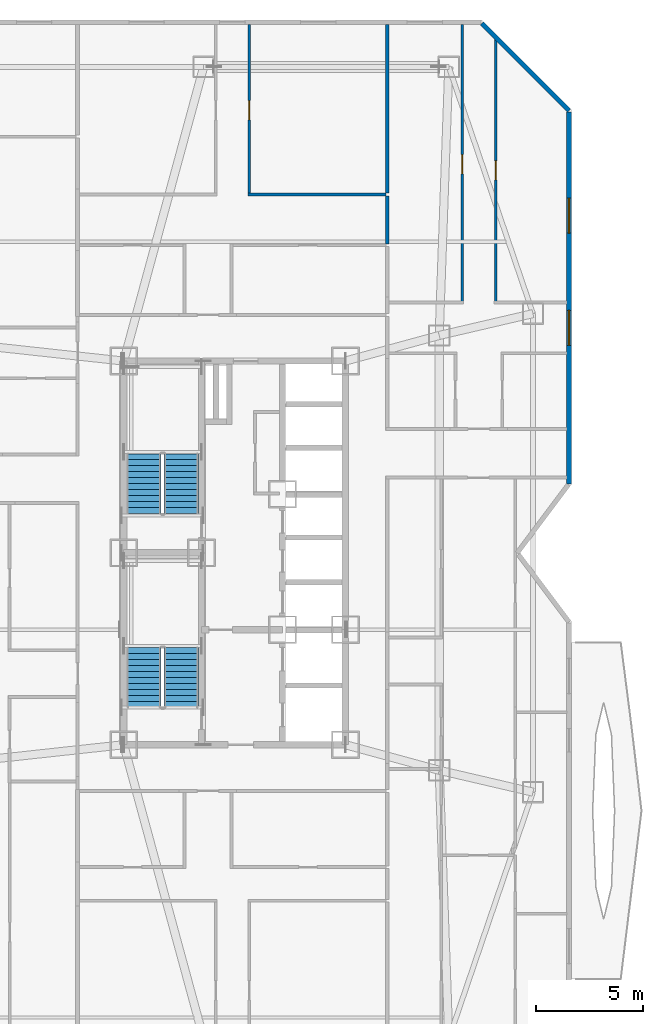
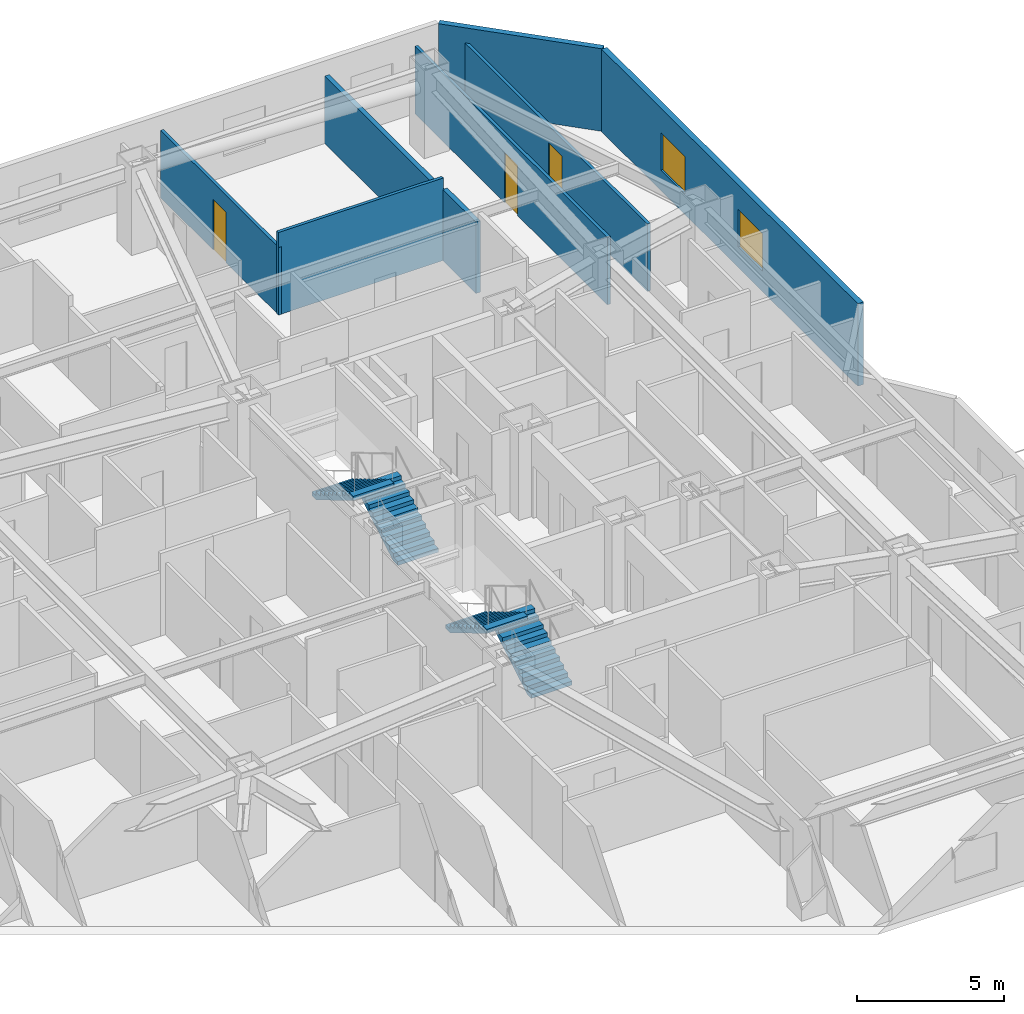
# One storey, part 14 of 16: 8 walls, 4 stair flights, 3 doors, 2 windows, 5 openings, 2 elements without a shape of their own.
"""IFC4 building model written with IfcOpenShell, lengths in metres."""

from ifc_helpers import new_model, si_unit, direction, frame, frame_2d, origin, place, context, subcontext, project, spatial, polyline, rectangle, outline, extrude, material, layer, layer_set, type_object, element, fill, aggregate, save


model = new_model("IFC4")

# Units and contexts
model_context = context("Model", 3, precision=1e-05, world=origin(), true_north=direction((0.0, 1.0)))
body_context = subcontext(model_context, "Body", "Model", "MODEL_VIEW")
ifc_project = project(units=[si_unit("LENGTHUNIT", "METRE"), si_unit("AREAUNIT", "SQUARE_METRE"), si_unit("VOLUMEUNIT", "CUBIC_METRE"), si_unit("PLANEANGLEUNIT", "RADIAN"), si_unit("MASSUNIT", "GRAM", prefix="KILO")], contexts=[model_context])

# Site, building, storey
site_placement = place(None, origin())
site = spatial("IfcSite", under=ifc_project, at=site_placement, CompositionType="ELEMENT")
building_placement = place(site_placement, origin())
building = spatial("IfcBuilding", under=site, at=building_placement, Name="Khamvora Tower", CompositionType="ELEMENT")
storey_placement = place(building_placement, frame((0.0, 0.0, 77.10009765625)))
storey = spatial("IfcBuildingStorey", under=building, at=storey_placement, Name="L19", CompositionType="ELEMENT", Elevation=77.10009765625)

# Walls
ifc_material_1 = material(Name="Acoustic Double-Stud Fire Wall", Category="gypsum")
ifc_layer_1 = layer(ifc_material_1, 0.179931640625)
ifc_layer_set_1 = layer_set([ifc_layer_1], Name="Acoustic Double-Stud Fire Wall")
wall_type_1 = type_object("IfcWallType", Name="WAL-CORR-180", PredefinedType="STANDARD", material=ifc_layer_set_1)
wall_1_placement = place(storey_placement, frame((41.364990234375, 44.7490234375, 0.0), z_axis=(0.0, 0.0, 1.0), x_axis=(0.0, -1.0, 0.0)))
element("IfcWall", 1, at=wall_1_placement, inside=storey, type_object=wall_type_1, Name="L19 interior partition wall 132", PredefinedType="STANDARD", context=body_context, shape_type="SweptSolid", body=[
    extrude(rectangle(XDim=2.25, YDim=0.179931640625, at=frame_2d((1.125, 0.0))), origin(), (0.0, 0.0, 1.0), 2.9609375),
])
wall_2_placement = place(storey_placement, frame((41.364990234375, 52.7880859375, 0.0), z_axis=(0.0, 0.0, 1.0), x_axis=(0.0, -1.0, 0.0)))
element("IfcWall", 2, at=wall_2_placement, inside=storey, type_object=wall_type_1, Name="L19 interior partition wall 135", PredefinedType="STANDARD", context=body_context, shape_type="SweptSolid", body=[
    extrude(rectangle(XDim=7.9091796875, YDim=0.179931640625, at=frame_2d((3.95458984375, 0.0))), origin(), (0.0, 0.0, 1.0), 2.802978515625),
])
ifc_material_2 = material(Name="Precast concrete C40/50", Category="concrete")
ifc_layer_2 = layer(ifc_material_2, 0.219970703125)
ifc_layer_set_2 = layer_set([ifc_layer_2], Name="Precast concrete C40/50")
wall_type_2 = type_object("IfcWallType", Name="WAL-EXT-220", PredefinedType="STANDARD", material=ifc_layer_set_2)
wall_3_placement = place(storey_placement, frame((45.802001953125, 52.842041015625, 0.0), z_axis=(0.0, 0.0, 1.0), x_axis=(0.707085666273, -0.70712789547, 0.0)))
element("IfcWall", 3, at=wall_3_placement, inside=storey, type_object=wall_type_2, Name="L19 exterior facade wall 08.1", PredefinedType="STANDARD", context=body_context, shape_type="SweptSolid", body=[
    extrude(rectangle(XDim=5.78125, YDim=0.219970703125, at=frame_2d((2.890625, 0.0))), origin(), (0.0, 0.0, 1.0), 3.429931640625),
])

# Wall, openings, windows
wall_4_placement = place(storey_placement, frame((49.889892578125, 48.68310546875, 0.0), z_axis=(0.0, 0.0, 1.0), x_axis=(0.0, -1.0, 0.0)))
wall_4 = element("IfcWall", 4, at=wall_4_placement, inside=storey, type_object=wall_type_2, Name="L19 exterior facade wall 09.1", PredefinedType="STANDARD", context=body_context, shape_type="SweptSolid", body=[
    extrude(rectangle(XDim=17.446044921875, YDim=0.219970703125, at=frame_2d((8.72314453125, 0.0))), origin(), (0.0, 0.0, 1.0), 3.429931640625),
])
opening_1_placement = place(wall_4_placement, frame((9.301025390625, 0.0, 0.85009765625)))
opening_1 = element("IfcOpeningElement", 5, at=opening_1_placement, cuts=wall_4, Name="Opening WN-06", PredefinedType="OPENING", context=body_context, shape_type="SweptSolid", body=[
    extrude(rectangle(XDim=1.64990234375, YDim=1.550048828125, at=frame_2d((0.824951171875, 0.77490234375))), frame((0.0, 0.119873046875, 0.0), z_axis=(0.0, -1.0, 0.0), x_axis=(1.0, 0.0, 0.0)), (0.0, 0.0, 1.0), 0.239990234375),
])
opening_2_placement = place(wall_4_placement, frame((4.035888671875, 0.0, 0.85009765625)))
opening_2 = element("IfcOpeningElement", 6, at=opening_2_placement, cuts=wall_4, Name="Opening WN-06", PredefinedType="OPENING", context=body_context, shape_type="SweptSolid", body=[
    extrude(rectangle(XDim=1.64990234375, YDim=1.550048828125, at=frame_2d((0.824951171875, 0.77490234375))), frame((0.0, 0.119873046875, 0.0), z_axis=(0.0, -1.0, 0.0), x_axis=(1.0, 0.0, 0.0)), (0.0, 0.0, 1.0), 0.239990234375),
])
ifc_material_3 = material(Name="Low-E Laminated Double Glazing", Category="glass")
window_type = type_object("IfcWindowType", Name="WIN-VIS-1650x1550", PartitioningType="SINGLE_PANEL", PredefinedType="WINDOW", material=ifc_material_3)
window_1_placement = place(opening_1_placement, origin())
window_1 = element("IfcWindow", 7, at=window_1_placement, inside=storey, type_object=window_type, Name="L19 vision window 09.1.01", OverallHeight=1.550048828125, OverallWidth=1.64990234375, PartitioningType="SINGLE_PANEL", PredefinedType="WINDOW", context=body_context, shape_type="SweptSolid", body=[
    extrude(rectangle(XDim=1.64990234375, YDim=1.550048828125, at=frame_2d((0.824951171875, 0.77490234375))), frame((0.0, 0.030029296875, 0.0), z_axis=(0.0, -1.0, 0.0), x_axis=(1.0, 0.0, 0.0)), (0.0, 0.0, 1.0), 0.06005859375),
])
fill(opening_1, window_1)
window_2_placement = place(opening_2_placement, origin())
window_2 = element("IfcWindow", 8, at=window_2_placement, inside=storey, type_object=window_type, Name="L19 vision window 09.1.02", OverallHeight=1.550048828125, OverallWidth=1.64990234375, PartitioningType="SINGLE_PANEL", PredefinedType="WINDOW", context=body_context, shape_type="SweptSolid", body=[
    extrude(rectangle(XDim=1.64990234375, YDim=1.550048828125, at=frame_2d((0.824951171875, 0.77490234375))), frame((0.0, 0.030029296875, 0.0), z_axis=(0.0, -1.0, 0.0), x_axis=(1.0, 0.0, 0.0)), (0.0, 0.0, 1.0), 0.06005859375),
])
fill(opening_2, window_2)

# Wall, opening, door
ifc_material_4 = material(Name="Gypsum Plasterboard Partition", Category="gypsum")
ifc_layer_3 = layer(ifc_material_4, 0.1201171875)
ifc_layer_set_3 = layer_set([ifc_layer_3], Name="Gypsum Plasterboard Partition")
wall_type_3 = type_object("IfcWallType", Name="WAL-PART-120", PredefinedType="PARTITIONING", material=ifc_layer_set_3)
wall_5_placement = place(storey_placement, frame((34.885009765625, 52.7880859375, 0.0), z_axis=(0.0, 0.0, 1.0), x_axis=(0.0, -1.0, 0.0)))
wall_5 = element("IfcWall", 9, at=wall_5_placement, inside=storey, type_object=wall_type_3, Name="L19 interior partition wall 130", PredefinedType="PARTITIONING", context=body_context, shape_type="SweptSolid", body=[
    extrude(rectangle(XDim=8.0390625, YDim=0.1201171875, at=frame_2d((4.01953125, 0.0))), origin(), (0.0, 0.0, 1.0), 2.802978515625),
])
opening_3_placement = place(wall_5_placement, frame((3.569091796875, 0.0, 0.0)))
opening_3 = element("IfcOpeningElement", 10, at=opening_3_placement, cuts=wall_5, Name="Opening D-RM1", PredefinedType="OPENING", context=body_context, shape_type="SweptSolid", body=[
    extrude(rectangle(XDim=0.89990234375, YDim=2.10009765625, at=frame_2d((0.449951171875, 1.050048828125))), frame((0.0, 0.070068359375, 0.0), z_axis=(0.0, -1.0, 0.0), x_axis=(1.0, 0.0, 0.0)), (0.0, 0.0, 1.0), 0.14013671875),
])
ifc_material_5 = material(Name="Powder-Coated Steel and Hardwood Leaf", Category="steel")
door_type = type_object("IfcDoorType", Name="DOR-ROOM-900", OperationType="NOTDEFINED", PredefinedType="DOOR", material=ifc_material_5)
door_1_placement = place(opening_3_placement, origin())
door_1 = element("IfcDoor", 11, at=door_1_placement, inside=storey, type_object=door_type, Name="L19 interior door 19NAH-19NAR2", OperationType="SINGLE_SWING_RIGHT", OverallHeight=2.10009765625, OverallWidth=0.89990234375, PredefinedType="DOOR", context=body_context, shape_type="SweptSolid", body=[
    extrude(rectangle(XDim=0.89990234375, YDim=2.10009765625, at=frame_2d((0.449951171875, 1.050048828125))), frame((0.0, 0.02490234375, 0.0), z_axis=(0.0, -1.0, 0.0), x_axis=(1.0, 0.0, 0.0)), (0.0, 0.0, 1.0), 0.050048828125),
])
fill(opening_3, door_1)

# Wall
wall_6_placement = place(storey_placement, frame((34.820068359375, 44.81396484375, 0.0), z_axis=(0.0, 0.0, 1.0), x_axis=(1.0, 0.0, 0.0)))
element("IfcWall", 12, at=wall_6_placement, inside=storey, type_object=wall_type_3, Name="L19 interior partition wall 131", PredefinedType="PARTITIONING", context=body_context, shape_type="SweptSolid", body=[
    extrude(rectangle(XDim=6.47998046875, YDim=0.1201171875, at=frame_2d((3.239990234375, 0.0))), origin(), (0.0, 0.0, 1.0), 3.429931640625),
])

# Wall, opening, door
wall_7_placement = place(storey_placement, frame((44.875, 39.681884765625, 0.0), z_axis=(0.0, 0.0, 1.0), x_axis=(0.0, 1.0, 0.0)))
wall_7 = element("IfcWall", 13, at=wall_7_placement, inside=storey, type_object=wall_type_3, Name="L19 interior partition wall 156", PredefinedType="PARTITIONING", context=body_context, shape_type="SweptSolid", body=[
    extrude(rectangle(XDim=13.106201171875, YDim=0.1201171875, at=frame_2d((6.55322265625, 0.0))), origin(), (0.0, 0.0, 1.0), 2.802978515625),
])
opening_4_placement = place(wall_7_placement, frame((6.10302734375, 0.0, 0.0)))
opening_4 = element("IfcOpeningElement", 14, at=opening_4_placement, cuts=wall_7, Name="Opening D-RM1", PredefinedType="OPENING", context=body_context, shape_type="SweptSolid", body=[
    extrude(rectangle(XDim=0.89990234375, YDim=2.10009765625, at=frame_2d((0.449951171875, 1.050048828125))), frame((0.0, 0.070068359375, 0.0), z_axis=(0.0, -1.0, 0.0), x_axis=(1.0, 0.0, 0.0)), (0.0, 0.0, 1.0), 0.14013671875),
])
door_2_placement = place(opening_4_placement, origin())
door_2 = element("IfcDoor", 15, at=door_2_placement, inside=storey, type_object=door_type, Name="L19 interior door 19EBH-19EBR1", OperationType="SINGLE_SWING_LEFT", OverallHeight=2.10009765625, OverallWidth=0.89990234375, PredefinedType="DOOR", context=body_context, shape_type="SweptSolid", body=[
    extrude(rectangle(XDim=0.89990234375, YDim=2.10009765625, at=frame_2d((0.449951171875, 1.050048828125))), frame((0.0, 0.02490234375, 0.0), z_axis=(0.0, -1.0, 0.0), x_axis=(1.0, 0.0, 0.0)), (0.0, 0.0, 1.0), 0.050048828125),
])
fill(opening_4, door_2)

wall_8_placement = place(storey_placement, frame((46.445068359375, 52.2080078125, 0.0), z_axis=(0.0, 0.0, 1.0), x_axis=(0.0, -1.0, 0.0)))
wall_8 = element("IfcWall", 16, at=wall_8_placement, inside=storey, type_object=wall_type_3, Name="L19 interior partition wall 158", PredefinedType="PARTITIONING", context=body_context, shape_type="SweptSolid", body=[
    extrude(rectangle(XDim=12.526123046875, YDim=0.1201171875, at=frame_2d((6.26318359375, 0.0))), origin(), (0.0, 0.0, 1.0), 2.802978515625),
])
opening_5_placement = place(wall_8_placement, frame((5.81298828125, 0.0, 0.0)))
opening_5 = element("IfcOpeningElement", 17, at=opening_5_placement, cuts=wall_8, Name="Opening D-RM1", PredefinedType="OPENING", context=body_context, shape_type="SweptSolid", body=[
    extrude(rectangle(XDim=0.89990234375, YDim=2.10009765625, at=frame_2d((0.449951171875, 1.050048828125))), frame((0.0, 0.070068359375, 0.0), z_axis=(0.0, -1.0, 0.0), x_axis=(1.0, 0.0, 0.0)), (0.0, 0.0, 1.0), 0.14013671875),
])
door_3_placement = place(opening_5_placement, origin())
door_3 = element("IfcDoor", 18, at=door_3_placement, inside=storey, type_object=door_type, Name="L19 interior door 19EBH-19EBR2", OperationType="SINGLE_SWING_RIGHT", OverallHeight=2.10009765625, OverallWidth=0.89990234375, PredefinedType="DOOR", context=body_context, shape_type="SweptSolid", body=[
    extrude(rectangle(XDim=0.89990234375, YDim=2.10009765625, at=frame_2d((0.449951171875, 1.050048828125))), frame((0.0, 0.02490234375, 0.0), z_axis=(0.0, -1.0, 0.0), x_axis=(1.0, 0.0, 0.0)), (0.0, 0.0, 1.0), 0.050048828125),
])
fill(opening_5, door_3)

# Stair, stair flights
ifc_material_6 = material(Name="Concrete C40/50", Category="concrete")
stair_type_1 = type_object("IfcStairType", Name="STR-ST-01", PredefinedType="HALF_TURN_STAIR", material=ifc_material_6)
stair_1_placement = place(storey_placement, origin())
stair_1 = element("IfcStair", 19, at=stair_1_placement, inside=storey, type_object=stair_type_1, Name="L19 South Tower Exit Stair ST-01", PredefinedType="HALF_TURN_STAIR")
stair_flight_type_1 = type_object("IfcStairFlightType", Name="STF-ST-01", PredefinedType="STRAIGHT", material=ifc_material_6)
stair_flight_1_placement = place(storey_placement, frame((31.699951171875, 20.75, 0.0), z_axis=(0.0, 0.0, 1.0), x_axis=(0.0, 1.0, 0.0)))
stair_flight_1 = element("IfcStairFlight", 20, at=stair_flight_1_placement, type_object=stair_flight_type_1, Name="ST-01 flight 1", NumberOfRisers=11, NumberOfTreads=10, PredefinedType="STRAIGHT", RiserHeight=0.165909091, TreadLength=0.28, context=body_context, shape_type="SweptSolid", body=[
    extrude(outline(polyline([(0.0, 0.0), (0.0, 0.166015625), (0.280029296875, 0.166015625), (0.280029296875, 0.331787109375), (0.56005859375, 0.331787109375), (0.56005859375, 0.497802734375), (0.840087890625, 0.497802734375), (0.840087890625, 0.66357421875), (1.1201171875, 0.66357421875), (1.1201171875, 0.82958984375), (1.39990234375, 0.82958984375), (1.39990234375, 0.995361328125), (1.679931640625, 0.995361328125), (1.679931640625, 1.161376953125), (1.9599609375, 1.161376953125), (1.9599609375, 1.327392578125), (2.239990234375, 1.327392578125), (2.239990234375, 1.4931640625), (2.52001953125, 1.4931640625), (2.52001953125, 1.6591796875), (2.800048828125, 1.6591796875), (2.800048828125, 1.824951171875), (2.800048828125, 1.48486328125), (0.2939453125, 0.0), (0.0, 0.0)])), frame((0.0, 0.800048828125, 0.0), z_axis=(0.0, -1.0, 0.0), x_axis=(1.0, 0.0, 0.0)), (0.0, 0.0, 1.0), 1.60009765625),
])
stair_flight_2_placement = place(storey_placement, frame((29.949951171875, 23.550048828125, 1.824951171875), z_axis=(0.0, 0.0, 1.0), x_axis=(0.0, -1.0, 0.0)))
stair_flight_2 = element("IfcStairFlight", 21, at=stair_flight_2_placement, type_object=stair_flight_type_1, Name="ST-01 flight 2", NumberOfRisers=11, NumberOfTreads=10, PredefinedType="STRAIGHT", RiserHeight=0.165909091, TreadLength=0.28, context=body_context, shape_type="SweptSolid", body=[
    extrude(outline(polyline([(0.0, 0.0), (0.0, 0.166015625), (0.280029296875, 0.166015625), (0.280029296875, 0.331787109375), (0.56005859375, 0.331787109375), (0.56005859375, 0.497802734375), (0.840087890625, 0.497802734375), (0.840087890625, 0.66357421875), (1.1201171875, 0.66357421875), (1.1201171875, 0.82958984375), (1.39990234375, 0.82958984375), (1.39990234375, 0.995361328125), (1.679931640625, 0.995361328125), (1.679931640625, 1.161376953125), (1.9599609375, 1.161376953125), (1.9599609375, 1.327392578125), (2.239990234375, 1.327392578125), (2.239990234375, 1.4931640625), (2.52001953125, 1.4931640625), (2.52001953125, 1.6591796875), (2.800048828125, 1.6591796875), (2.800048828125, 1.824951171875), (2.800048828125, 1.48486328125), (0.2939453125, 0.0), (0.0, 0.0)])), frame((0.0, 0.800048828125, 0.0), z_axis=(0.0, -1.0, 0.0), x_axis=(1.0, 0.0, 0.0)), (0.0, 0.0, 1.0), 1.60009765625),
])
aggregate(stair_1, [stair_flight_1, stair_flight_2])

stair_type_2 = type_object("IfcStairType", Name="STR-ST-02", PredefinedType="HALF_TURN_STAIR", material=ifc_material_6)
stair_2_placement = place(storey_placement, origin())
stair_2 = element("IfcStair", 22, at=stair_2_placement, inside=storey, type_object=stair_type_2, Name="L19 North Tower Exit Stair ST-02", PredefinedType="HALF_TURN_STAIR")
stair_flight_type_2 = type_object("IfcStairFlightType", Name="STF-ST-02", PredefinedType="STRAIGHT", material=ifc_material_6)
stair_flight_3_placement = place(storey_placement, frame((31.699951171875, 29.85009765625, 0.0), z_axis=(0.0, 0.0, 1.0), x_axis=(0.0, 1.0, 0.0)))
stair_flight_3 = element("IfcStairFlight", 23, at=stair_flight_3_placement, type_object=stair_flight_type_2, Name="ST-02 flight 1", NumberOfRisers=11, NumberOfTreads=10, PredefinedType="STRAIGHT", RiserHeight=0.165909091, TreadLength=0.28, context=body_context, shape_type="SweptSolid", body=[
    extrude(outline(polyline([(0.0, 0.0), (0.0, 0.166015625), (0.280029296875, 0.166015625), (0.280029296875, 0.331787109375), (0.56005859375, 0.331787109375), (0.56005859375, 0.497802734375), (0.840087890625, 0.497802734375), (0.840087890625, 0.66357421875), (1.1201171875, 0.66357421875), (1.1201171875, 0.82958984375), (1.39990234375, 0.82958984375), (1.39990234375, 0.995361328125), (1.679931640625, 0.995361328125), (1.679931640625, 1.161376953125), (1.9599609375, 1.161376953125), (1.9599609375, 1.327392578125), (2.239990234375, 1.327392578125), (2.239990234375, 1.4931640625), (2.52001953125, 1.4931640625), (2.52001953125, 1.6591796875), (2.800048828125, 1.6591796875), (2.800048828125, 1.824951171875), (2.800048828125, 1.48486328125), (0.2939453125, 0.0), (0.0, 0.0)])), frame((0.0, 0.800048828125, 0.0), z_axis=(0.0, -1.0, 0.0), x_axis=(1.0, 0.0, 0.0)), (0.0, 0.0, 1.0), 1.60009765625),
])
stair_flight_4_placement = place(storey_placement, frame((29.949951171875, 32.64990234375, 1.824951171875), z_axis=(0.0, 0.0, 1.0), x_axis=(0.0, -1.0, 0.0)))
stair_flight_4 = element("IfcStairFlight", 24, at=stair_flight_4_placement, type_object=stair_flight_type_2, Name="ST-02 flight 2", NumberOfRisers=11, NumberOfTreads=10, PredefinedType="STRAIGHT", RiserHeight=0.165909091, TreadLength=0.28, context=body_context, shape_type="SweptSolid", body=[
    extrude(outline(polyline([(0.0, 0.0), (0.0, 0.166015625), (0.280029296875, 0.166015625), (0.280029296875, 0.331787109375), (0.56005859375, 0.331787109375), (0.56005859375, 0.497802734375), (0.840087890625, 0.497802734375), (0.840087890625, 0.66357421875), (1.1201171875, 0.66357421875), (1.1201171875, 0.82958984375), (1.39990234375, 0.82958984375), (1.39990234375, 0.995361328125), (1.679931640625, 0.995361328125), (1.679931640625, 1.161376953125), (1.9599609375, 1.161376953125), (1.9599609375, 1.327392578125), (2.239990234375, 1.327392578125), (2.239990234375, 1.4931640625), (2.52001953125, 1.4931640625), (2.52001953125, 1.6591796875), (2.800048828125, 1.6591796875), (2.800048828125, 1.824951171875), (2.800048828125, 1.48486328125), (0.2939453125, 0.0), (0.0, 0.0)])), frame((0.0, 0.800048828125, 0.0), z_axis=(0.0, -1.0, 0.0), x_axis=(1.0, 0.0, 0.0)), (0.0, 0.0, 1.0), 1.60009765625),
])
aggregate(stair_2, [stair_flight_3, stair_flight_4])

save(model, "model.ifc")
